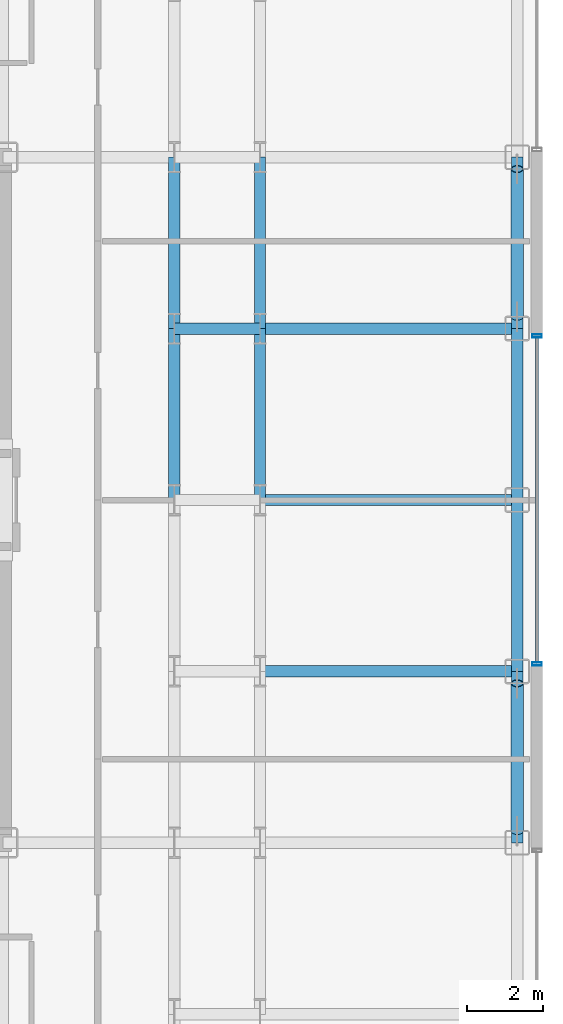
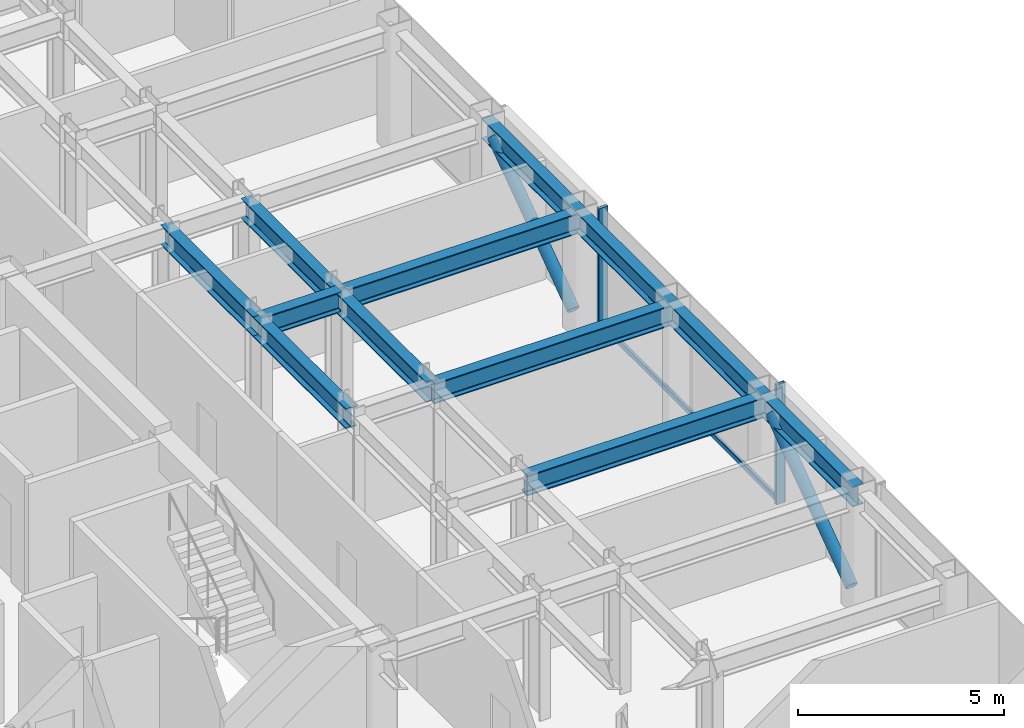
# One storey, part 7 of 21: 12 beams, 5 members, 1 element without a shape of its own.
"""IFC4 building model written with IfcOpenShell, lengths in metres."""

from ifc_helpers import new_model, si_unit, direction, frame, origin, origin_2d, place, context, subcontext, project, spatial, hollow_rectangle, hollow_circle, i_section, extrude, source, transform, mapped, material, layer, layer_set, material_profile, profile_set, type_object, element, aggregate, save


model = new_model("IFC4")

# Units and contexts
model_context = context("Model", 3, precision=1e-05, world=origin(), true_north=direction((0.0, 1.0)))
body_context = subcontext(model_context, "Body", "Model", "MODEL_VIEW")
ifc_project = project(units=[si_unit("LENGTHUNIT", "METRE"), si_unit("AREAUNIT", "SQUARE_METRE"), si_unit("VOLUMEUNIT", "CUBIC_METRE"), si_unit("PLANEANGLEUNIT", "RADIAN"), si_unit("MASSUNIT", "GRAM", prefix="KILO")], contexts=[model_context])

# Site, building, storey
site_placement = place(None, origin())
site = spatial("IfcSite", under=ifc_project, at=site_placement, CompositionType="ELEMENT")
building_placement = place(site_placement, origin())
building = spatial("IfcBuilding", under=site, at=building_placement, Name="Nefas-Gora Pilgrimage Tower", CompositionType="ELEMENT")
storey_placement = place(building_placement, frame((0.0, 0.0, 206.60009765625)))
storey = spatial("IfcBuildingStorey", under=building, at=storey_placement, Name="L51", CompositionType="ELEMENT", Elevation=206.60009765625)

# Beams
ifc_material_1 = material(Name="Steel S355", Category="steel")
ifc_material_profile_1 = material_profile(ifc_material_1, i_section(OverallWidth=0.300048828125, OverallDepth=0.60009765625, WebThickness=0.015380859375, FlangeThickness=0.030029296875, FilletRadius=0.027099609375, at=origin_2d()), Name="HEB 600")
ifc_profile_set_1 = profile_set([ifc_material_profile_1], Name="Steel S355")
beam_type_1 = type_object("IfcBeamType", Name="BM-SPN-HEB450", PredefinedType="SPANDREL", material=ifc_profile_set_1)
shared_shape_1 = source(origin(), body_context, "Body", "SweptSolid", [
    extrude(i_section(OverallWidth=0.300048828125, OverallDepth=0.60009765625, WebThickness=0.015380859375, FlangeThickness=0.030029296875, FilletRadius=0.027099609375, at=origin_2d()), origin(), (0.0, 0.0, 1.0), 4.5),
])
for number, where, z_axis, x_axis, name in (
    (1, (24.75, -9.0, 3.25), (0.0, 1.0, 0.0), (-1.0, 0.0, 0.0), "L51 SP-03 beam"),
    (2, (24.75, -4.5, 3.25), (0.0, 1.0, 0.0), (-1.0, 0.0, 0.0), "L51 SP-03 beam"),
    (3, (24.75, 0.0, 3.25), (0.0, 1.0, 0.0), (-1.0, 0.0, 0.0), "L51 SP-03 beam"),
    (4, (24.75, 4.5, 3.25), (0.0, 1.0, 0.0), (-1.0, 0.0, 0.0), "L51 SP-03 beam"),
):
    element("IfcBeam", number, at=place(storey_placement, frame(where, z_axis=z_axis, x_axis=x_axis)), inside=storey, type_object=beam_type_1, Name=name, PredefinedType="SPANDREL", context=body_context, shape_type="MappedRepresentation", body=[
        mapped(shared_shape_1, transform((0.0, 0.0, 0.0), x_axis=(1.0, 0.0, 0.0), y_axis=(0.0, 1.0, 0.0), z_axis=(0.0, 0.0, 1.0), scale=1.0)),
    ])
ifc_material_profile_2 = material_profile(ifc_material_1, i_section(OverallWidth=0.300048828125, OverallDepth=0.60009765625, WebThickness=0.015380859375, FlangeThickness=0.030029296875, FilletRadius=0.027099609375, at=origin_2d()), Name="HEB 600")
ifc_profile_set_2 = profile_set([ifc_material_profile_2], Name="Steel S355")
beam_type_2 = type_object("IfcBeamType", Name="BM-GIR-HEB600", PredefinedType="BEAM", material=ifc_profile_set_2)
shared_shape_2 = source(origin(), body_context, "Body", "SweptSolid", [
    extrude(i_section(OverallWidth=0.300048828125, OverallDepth=0.60009765625, WebThickness=0.015380859375, FlangeThickness=0.030029296875, FilletRadius=0.027099609375, at=origin_2d()), origin(), (0.0, 0.0, 1.0), 4.5),
])
for number, where, z_axis, x_axis, name in (
    (5, (15.75, 0.0, 3.25), (0.0, 1.0, 0.0), (-1.0, 0.0, 0.0), "L51 G-04 beam"),
    (6, (15.75, 4.5, 3.25), (0.0, 1.0, 0.0), (-1.0, 0.0, 0.0), "L51 G-04 beam"),
    (7, (18.0, 0.0, 3.25), (0.0, 1.0, 0.0), (-1.0, 0.0, 0.0), "L51 G-04 beam"),
    (8, (18.0, 4.5, 3.25), (0.0, 1.0, 0.0), (-1.0, 0.0, 0.0), "L51 G-04 beam"),
):
    element("IfcBeam", number, at=place(storey_placement, frame(where, z_axis=z_axis, x_axis=x_axis)), inside=storey, type_object=beam_type_2, Name=name, PredefinedType="BEAM", context=body_context, shape_type="MappedRepresentation", body=[
        mapped(shared_shape_2, transform((0.0, 0.0, 0.0), x_axis=(1.0, 0.0, 0.0), y_axis=(0.0, 1.0, 0.0), z_axis=(0.0, 0.0, 1.0), scale=1.0)),
    ])
shared_shape_3 = source(origin(), body_context, "Body", "SweptSolid", [
    extrude(i_section(OverallWidth=0.300048828125, OverallDepth=0.60009765625, WebThickness=0.015380859375, FlangeThickness=0.030029296875, FilletRadius=0.027099609375, at=origin_2d()), origin(), (0.0, 0.0, 1.0), 6.75),
])
for number, where, z_axis, x_axis, name in (
    (9, (18.0, -4.5, 3.25), (1.0, 0.0, 0.0), (0.0, 1.0, 0.0), "L51 G-04 beam"),
    (10, (18.0, 0.0, 3.25), (1.0, 0.0, 0.0), (0.0, 1.0, 0.0), "L51 G-04 beam"),
    (11, (18.0, 4.5, 3.25), (1.0, 0.0, 0.0), (0.0, 1.0, 0.0), "L51 G-04 beam"),
):
    element("IfcBeam", number, at=place(storey_placement, frame(where, z_axis=z_axis, x_axis=x_axis)), inside=storey, type_object=beam_type_2, Name=name, PredefinedType="BEAM", context=body_context, shape_type="MappedRepresentation", body=[
        mapped(shared_shape_3, transform((0.0, 0.0, 0.0), x_axis=(1.0, 0.0, 0.0), y_axis=(0.0, 1.0, 0.0), z_axis=(0.0, 0.0, 1.0), scale=1.0)),
    ])
shared_shape_4 = source(origin(), body_context, "Body", "SweptSolid", [
    extrude(i_section(OverallWidth=0.300048828125, OverallDepth=0.60009765625, WebThickness=0.015380859375, FlangeThickness=0.030029296875, FilletRadius=0.027099609375, at=origin_2d()), origin(), (0.0, 0.0, 1.0), 2.25),
])
beam_placement = place(storey_placement, frame((15.75, 4.5, 3.25), z_axis=(1.0, 0.0, 0.0), x_axis=(0.0, 1.0, 0.0)))
element("IfcBeam", 12, at=beam_placement, inside=storey, type_object=beam_type_2, Name="L51 G-04 beam", PredefinedType="BEAM", context=body_context, shape_type="MappedRepresentation", body=[
    mapped(shared_shape_4, transform((0.0, 0.0, 0.0), x_axis=(1.0, 0.0, 0.0), y_axis=(0.0, 1.0, 0.0), z_axis=(0.0, 0.0, 1.0), scale=1.0)),
])

# Members
ifc_material_profile_3 = material_profile(ifc_material_1, hollow_circle(Radius=0.161865234375, WallThickness=0.02001953125, at=origin_2d()), Name="CHS 323.9x20")
ifc_profile_set_3 = profile_set([ifc_material_profile_3], Name="Steel S355")
member_type_1 = type_object("IfcMemberType", Name="MEM-TUBE-324", PredefinedType="BRACE", material=ifc_profile_set_3)
shared_shape_5 = source(origin(), body_context, "Body", "SweptSolid", [
    extrude(hollow_circle(Radius=0.161865234375, WallThickness=0.02001953125, at=origin_2d()), origin(), (0.0, 0.0, 1.0), 4.763671875),
])
for number, where, z_axis, x_axis, name in (
    (13, (24.75, -8.68701171875, 0.3740234375), (0.0, 0.813255312614, 0.581907034246), (-1.0, 0.0, 0.0), "L51 Perimeter Tube Diagonal Brace E1"),
    (14, (24.75, 4.81298828125, 0.3740234375), (0.0, 0.813255312614, 0.581907034246), (-1.0, 0.0, 0.0), "L51 Perimeter Tube Diagonal Brace E2"),
):
    element("IfcMember", number, at=place(storey_placement, frame(where, z_axis=z_axis, x_axis=x_axis)), inside=storey, type_object=member_type_1, Name=name, PredefinedType="BRACE", context=body_context, shape_type="MappedRepresentation", body=[
        mapped(shared_shape_5, transform((0.0, 0.0, 0.0), x_axis=(1.0, 0.0, 0.0), y_axis=(0.0, 1.0, 0.0), z_axis=(0.0, 0.0, 1.0), scale=1.0)),
    ])

# Curtain wall, members
ifc_material_2 = material(Name="Dark ceramic-fritted solar-control aluminium-glass curtain wall", Category="aluminium")
ifc_layer = layer(ifc_material_2, 0.219970703125)
ifc_layer_set = layer_set([ifc_layer], Name="Dark ceramic-fritted solar-control aluminium-glass curtain wall")
curtain_wall_type = type_object("IfcCurtainWallType", Name="CW-SYS-3", PredefinedType="NOTDEFINED", material=ifc_layer_set)
curtain_wall_placement = place(storey_placement, origin())
curtain_wall = element("IfcCurtainWall", 15, at=curtain_wall_placement, inside=storey, type_object=curtain_wall_type, Name="L51 Unitised Curtain Wall CW3", PredefinedType="NOTDEFINED")
ifc_material_3 = material(Name="Anodised architectural aluminium", Category="aluminium")
ifc_material_profile_4 = material_profile(ifc_material_3, hollow_rectangle(XDim=0.080078125, YDim=0.159912109375, WallThickness=0.00439453125, InnerFilletRadius=0.00439453125, OuterFilletRadius=0.009033203125, at=origin_2d()), Name="ALU TRANSOM 80x160")
ifc_profile_set_4 = profile_set([ifc_material_profile_4], Name="Anodised architectural aluminium")
member_type_2 = type_object("IfcMemberType", Name="CWM-TRN-3", PredefinedType="USERDEFINED", material=ifc_profile_set_4)
shared_shape_6 = source(origin(), body_context, "Body", "SweptSolid", [
    extrude(hollow_rectangle(XDim=0.080078125, YDim=0.159912109375, WallThickness=0.00439453125, InnerFilletRadius=0.00439453125, OuterFilletRadius=0.009033203125, at=origin_2d()), origin(), (0.0, 0.0, 1.0), 8.52001953125),
])
member_1_placement = place(storey_placement, frame((25.27001953125, -4.260009765625, 0.0498046875), z_axis=(0.0, 1.0, 0.0), x_axis=(-1.0, 0.0, 0.0)))
member_1 = element("IfcMember", 16, at=member_1_placement, type_object=member_type_2, Name="CW3 Spandrel Transom", ObjectType="TRANSOM", PredefinedType="USERDEFINED", context=body_context, shape_type="MappedRepresentation", body=[
    mapped(shared_shape_6, transform((0.0, 0.0, 0.0), x_axis=(1.0, 0.0, 0.0), y_axis=(0.0, 1.0, 0.0), z_axis=(0.0, 0.0, 1.0), scale=1.0)),
])
ifc_material_profile_5 = material_profile(ifc_material_3, hollow_rectangle(XDim=0.090087890625, YDim=0.260009765625, WallThickness=0.006103515625, InnerFilletRadius=0.006103515625, OuterFilletRadius=0.011962890625, at=origin_2d()), Name="ALU MULLION 90x260")
ifc_profile_set_5 = profile_set([ifc_material_profile_5], Name="Anodised architectural aluminium")
member_type_3 = type_object("IfcMemberType", Name="CWM-MUL-3", PredefinedType="MULLION", material=ifc_profile_set_5)
shared_shape_7 = source(origin(), body_context, "Body", "SweptSolid", [
    extrude(hollow_rectangle(XDim=0.090087890625, YDim=0.260009765625, WallThickness=0.006103515625, InnerFilletRadius=0.006103515625, OuterFilletRadius=0.011962890625, at=origin_2d()), origin(), (0.0, 0.0, 1.0), 3.5498046875),
])
member_2_placement = place(storey_placement, frame((25.27001953125, -4.304931640625, 0.0), z_axis=(0.0, 0.0, 1.0), x_axis=(0.0, 1.0, 0.0)))
member_2 = element("IfcMember", 17, at=member_2_placement, type_object=member_type_3, Name="CW3 Mullion 1", PredefinedType="MULLION", context=body_context, shape_type="MappedRepresentation", body=[
    mapped(shared_shape_7, transform((0.0, 0.0, 0.0), x_axis=(1.0, 0.0, 0.0), y_axis=(0.0, 1.0, 0.0), z_axis=(0.0, 0.0, 1.0), scale=1.0)),
])
member_3_placement = place(storey_placement, frame((25.27001953125, 4.304931640625, 0.0), z_axis=(0.0, 0.0, 1.0), x_axis=(0.0, 1.0, 0.0)))
member_3 = element("IfcMember", 18, at=member_3_placement, type_object=member_type_3, Name="CW3 Mullion 2", PredefinedType="MULLION", context=body_context, shape_type="MappedRepresentation", body=[
    mapped(shared_shape_7, transform((0.0, 0.0, 0.0), x_axis=(1.0, 0.0, 0.0), y_axis=(0.0, 1.0, 0.0), z_axis=(0.0, 0.0, 1.0), scale=1.0)),
])
aggregate(curtain_wall, [member_2, member_3, member_1])

save(model, "model.ifc")
